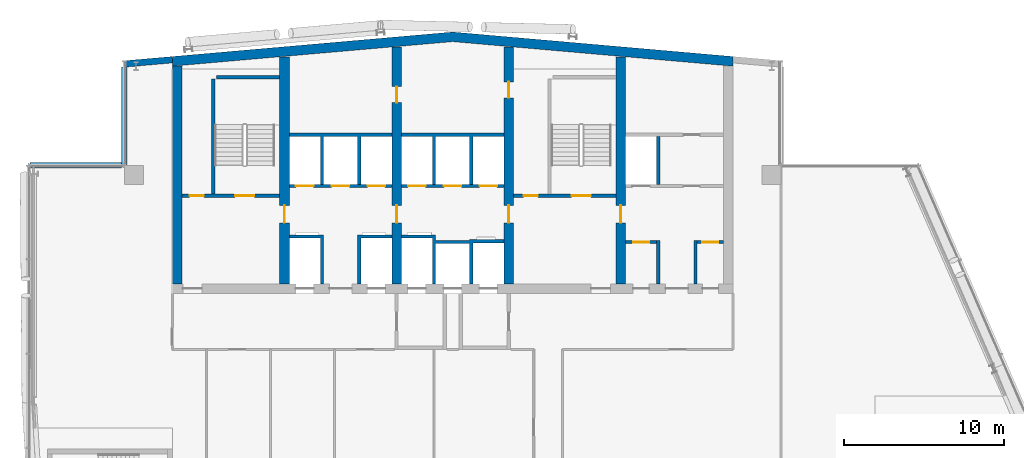
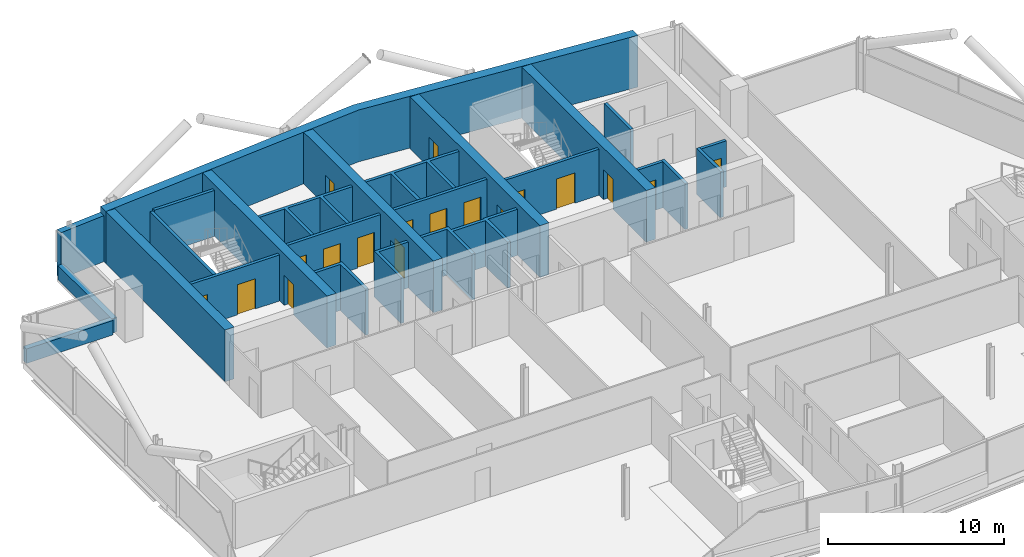
# One storey, part 18 of 27: 25 walls, 18 doors, 18 openings.
"""IFC4 building model written with IfcOpenShell, lengths in metres."""

from ifc_helpers import new_model, si_unit, direction, frame, frame_2d, origin, place, context, subcontext, project, spatial, polyline, rectangle, outline, extrude, material, layer, layer_set, type_object, element, fill, save


model = new_model("IFC4")

# Units and contexts
model_context = context("Model", 3, precision=1e-05, world=origin(), true_north=direction((0.0, 1.0)))
body_context = subcontext(model_context, "Body", "Model", "MODEL_VIEW")
ifc_project = project(units=[si_unit("LENGTHUNIT", "METRE"), si_unit("AREAUNIT", "SQUARE_METRE"), si_unit("VOLUMEUNIT", "CUBIC_METRE"), si_unit("PLANEANGLEUNIT", "RADIAN"), si_unit("MASSUNIT", "GRAM", prefix="KILO")], contexts=[model_context])

# Site, building, storey
site_placement = place(None, origin())
site = spatial("IfcSite", under=ifc_project, at=site_placement, CompositionType="ELEMENT")
building_placement = place(site_placement, origin())
building = spatial("IfcBuilding", under=site, at=building_placement, Name="Wharfspan Tower", CompositionType="ELEMENT")
storey_placement = place(building_placement, frame((0.0, 0.0, 210.699951)))
storey = spatial("IfcBuildingStorey", under=building, at=storey_placement, Name="L52", CompositionType="ELEMENT", Elevation=210.699951)

# Wall, opening, door
ifc_material_1 = material(Name="Calcium silicate masonry", Category="masonry")
ifc_layer_1 = layer(ifc_material_1, 0.199951)
ifc_layer_set_1 = layer_set([ifc_layer_1], Name="Calcium silicate masonry")
wall_type_1 = type_object("IfcWallType", Name="Core room wall 200", PredefinedType="PARTITIONING", material=ifc_layer_set_1)
wall_1_placement = place(storey_placement, frame((51.300049, 37.199951, 0.0), z_axis=(0.0, 0.0, 1.0), x_axis=(1.0, 0.0, 0.0)))
wall_1 = element("IfcWall", 1, at=wall_1_placement, inside=storey, type_object=wall_type_1, Name="sw:L52:FR6.1", PredefinedType="PARTITIONING", context=body_context, shape_type="SweptSolid", body=[
    extrude(rectangle(XDim=1.93335, YDim=0.199951, at=frame_2d((0.966797, 0.0))), origin(), (0.0, 0.0, 1.0), 3.199951),
])
opening_1_placement = place(wall_1_placement, frame((0.466797, 0.0, 0.0)))
opening_1 = element("IfcOpeningElement", 2, at=opening_1_placement, cuts=wall_1, Name="Opening CD52.6H1", PredefinedType="OPENING", context=body_context, shape_type="SweptSolid", body=[
    extrude(rectangle(XDim=1.0, YDim=2.100098, at=frame_2d((0.5, 1.050049))), frame((0.0, 0.109863, 0.0), z_axis=(0.0, -1.0, 0.0), x_axis=(1.0, 0.0, 0.0)), (0.0, 0.0, 1.0), 0.219971),
])
ifc_material_2 = material(Name="Steel door leaf", Category="steel")
door_type_1 = type_object("IfcDoorType", Name="Core room door 1000x2100", OperationType="SINGLE_SWING_LEFT", PredefinedType="DOOR", material=ifc_material_2)
door_1_placement = place(opening_1_placement, origin())
door_1 = element("IfcDoor", 3, at=door_1_placement, inside=storey, type_object=door_type_1, Name="d:L52:6:fh6.1", OperationType="SINGLE_SWING_RIGHT", OverallHeight=2.100098, OverallWidth=1.0, PredefinedType="DOOR", context=body_context, shape_type="SweptSolid", body=[
    extrude(rectangle(XDim=1.0, YDim=2.100098, at=frame_2d((0.5, 1.050049))), frame((0.0, 0.024902, 0.0), z_axis=(0.0, -1.0, 0.0), x_axis=(1.0, 0.0, 0.0)), (0.0, 0.0, 1.0), 0.050049),
])
fill(opening_1, door_1)

wall_2_placement = place(storey_placement, frame((55.766602, 37.199951, 0.0), z_axis=(0.0, 0.0, 1.0), x_axis=(1.0, 0.0, 0.0)))
wall_2 = element("IfcWall", 4, at=wall_2_placement, inside=storey, type_object=wall_type_1, Name="sw:L52:FR6.3", PredefinedType="PARTITIONING", context=body_context, shape_type="SweptSolid", body=[
    extrude(rectangle(XDim=1.633301, YDim=0.199951, at=frame_2d((0.81665, 0.0))), origin(), (0.0, 0.0, 1.0), 3.199951),
])
opening_2_placement = place(wall_2_placement, frame((0.31665, 0.0, 0.0)))
opening_2 = element("IfcOpeningElement", 5, at=opening_2_placement, cuts=wall_2, Name="Opening CD52.6H3", PredefinedType="OPENING", context=body_context, shape_type="SweptSolid", body=[
    extrude(rectangle(XDim=1.0, YDim=2.100098, at=frame_2d((0.5, 1.050049))), frame((0.0, 0.109863, 0.0), z_axis=(0.0, -1.0, 0.0), x_axis=(1.0, 0.0, 0.0)), (0.0, 0.0, 1.0), 0.219971),
])
door_2_placement = place(opening_2_placement, origin())
door_2 = element("IfcDoor", 6, at=door_2_placement, inside=storey, type_object=door_type_1, Name="d:L52:6:fh6.3", OperationType="SINGLE_SWING_RIGHT", OverallHeight=2.100098, OverallWidth=1.0, PredefinedType="DOOR", context=body_context, shape_type="SweptSolid", body=[
    extrude(rectangle(XDim=1.0, YDim=2.100098, at=frame_2d((0.5, 1.050049))), frame((0.0, 0.024902, 0.0), z_axis=(0.0, -1.0, 0.0), x_axis=(1.0, 0.0, 0.0)), (0.0, 0.0, 1.0), 0.050049),
])
fill(opening_2, door_2)

# Walls
ifc_material_3 = material(Name="Concrete C50/60", Category="concrete")
ifc_layer_2 = layer(ifc_material_3, 0.600098)
ifc_layer_set_2 = layer_set([ifc_layer_2], Name="Concrete C50/60")
wall_type_2 = type_object("IfcWallType", Name="Core wall 600 C50/60", PredefinedType="SHEAR", material=ifc_layer_set_2)
wall_3_placement = place(storey_placement, origin())
element("IfcWall", 7, at=wall_3_placement, inside=storey, type_object=wall_type_2, Name="Core rear wall L52", PredefinedType="SHEAR", context=body_context, shape_type="SweptSolid", body=[
    extrude(outline(polyline([(23.0, 48.185059), (40.5, 49.716064), (58.0, 48.185059), (58.0, 48.787354), (40.5, 50.318359), (23.0, 48.787354), (23.0, 48.185059)])), origin(), (0.0, 0.0, 1.0), 3.600098),
])
wall_4_placement = place(storey_placement, frame((23.300049, 34.600098, 0.0), z_axis=(0.0, 0.0, 1.0), x_axis=(0.0, 1.0, 0.0)))
element("IfcWall", 8, at=wall_4_placement, inside=storey, type_object=wall_type_2, Name="Core cross wall EW0 L52", PredefinedType="SHEAR", context=body_context, shape_type="SweptSolid", body=[
    extrude(rectangle(XDim=13.584961, YDim=0.600098, at=frame_2d((6.79248, 0.0))), origin(), (0.0, 0.0, 1.0), 3.600098),
])

# Wall, opening, door
wall_5_placement = place(storey_placement, frame((30.0, 34.600098, 0.0), z_axis=(0.0, 0.0, 1.0), x_axis=(0.0, 1.0, 0.0)))
wall_5 = element("IfcWall", 9, at=wall_5_placement, inside=storey, type_object=wall_type_2, Name="Core cross wall X3 L52", PredefinedType="SHEAR", context=body_context, shape_type="SweptSolid", body=[
    extrude(rectangle(XDim=14.171143, YDim=0.600098, at=frame_2d((7.085449, 0.0))), origin(), (0.0, 0.0, 1.0), 3.600098),
])
opening_3_placement = place(wall_5_placement, frame((3.800049, 0.0, 0.0)))
opening_3 = element("IfcOpeningElement", 10, at=opening_3_placement, cuts=wall_5, Name="Opening CC52.3", PredefinedType="OPENING", context=body_context, shape_type="SweptSolid", body=[
    extrude(rectangle(XDim=1.100098, YDim=2.100098, at=frame_2d((0.550049, 1.050049))), frame((0.0, 0.310059, 0.0), z_axis=(0.0, -1.0, 0.0), x_axis=(1.0, 0.0, 0.0)), (0.0, 0.0, 1.0), 0.620117),
])
door_type_2 = type_object("IfcDoorType", Name="Core corridor door 1100x2100", OperationType="SINGLE_SWING_LEFT", PredefinedType="DOOR", material=ifc_material_2)
door_3_placement = place(opening_3_placement, origin())
door_3 = element("IfcDoor", 11, at=door_3_placement, inside=storey, type_object=door_type_2, Name="xd:L52:3", OperationType="SINGLE_SWING_LEFT", OverallHeight=2.100098, OverallWidth=1.100098, PredefinedType="DOOR", context=body_context, shape_type="SweptSolid", body=[
    extrude(rectangle(XDim=1.100098, YDim=2.100098, at=frame_2d((0.550049, 1.050049))), frame((0.0, 0.024902, 0.0), z_axis=(0.0, -1.0, 0.0), x_axis=(1.0, 0.0, 0.0)), (0.0, 0.0, 1.0), 0.050049),
])
fill(opening_3, door_3)

# Wall, openings, doors
wall_6_placement = place(storey_placement, frame((37.0, 34.600098, 0.0), z_axis=(0.0, 0.0, 1.0), x_axis=(0.0, 1.0, 0.0)))
wall_6 = element("IfcWall", 12, at=wall_6_placement, inside=storey, type_object=wall_type_2, Name="Core cross wall X4 L52", PredefinedType="SHEAR", context=body_context, shape_type="SweptSolid", body=[
    extrude(rectangle(XDim=14.783691, YDim=0.600098, at=frame_2d((7.391846, 0.0))), origin(), (0.0, 0.0, 1.0), 3.600098),
])
opening_4_placement = place(wall_6_placement, frame((11.302002, 0.0, 0.0)))
opening_4 = element("IfcOpeningElement", 13, at=opening_4_placement, cuts=wall_6, Name="Opening CD52.3X", PredefinedType="OPENING", context=body_context, shape_type="SweptSolid", body=[
    extrude(rectangle(XDim=1.0, YDim=2.100098, at=frame_2d((0.5, 1.050049))), frame((0.0, 0.310059, 0.0), z_axis=(0.0, -1.0, 0.0), x_axis=(1.0, 0.0, 0.0)), (0.0, 0.0, 1.0), 0.620117),
])
opening_5_placement = place(wall_6_placement, frame((3.800049, 0.0, 0.0)))
opening_5 = element("IfcOpeningElement", 14, at=opening_5_placement, cuts=wall_6, Name="Opening CC52.4", PredefinedType="OPENING", context=body_context, shape_type="SweptSolid", body=[
    extrude(rectangle(XDim=1.100098, YDim=2.100098, at=frame_2d((0.550049, 1.050049))), frame((0.0, 0.310059, 0.0), z_axis=(0.0, -1.0, 0.0), x_axis=(1.0, 0.0, 0.0)), (0.0, 0.0, 1.0), 0.620117),
])
door_4_placement = place(opening_5_placement, origin())
door_4 = element("IfcDoor", 15, at=door_4_placement, inside=storey, type_object=door_type_2, Name="xd:L52:4", OperationType="SINGLE_SWING_RIGHT", OverallHeight=2.100098, OverallWidth=1.100098, PredefinedType="DOOR", context=body_context, shape_type="SweptSolid", body=[
    extrude(rectangle(XDim=1.100098, YDim=2.100098, at=frame_2d((0.550049, 1.050049))), frame((0.0, 0.024902, 0.0), z_axis=(0.0, -1.0, 0.0), x_axis=(1.0, 0.0, 0.0)), (0.0, 0.0, 1.0), 0.050049),
])
fill(opening_5, door_4)
door_5_placement = place(opening_4_placement, origin())
door_5 = element("IfcDoor", 16, at=door_5_placement, inside=storey, type_object=door_type_1, Name="d:L52:3:sx", OperationType="SINGLE_SWING_LEFT", OverallHeight=2.100098, OverallWidth=1.0, PredefinedType="DOOR", context=body_context, shape_type="SweptSolid", body=[
    extrude(rectangle(XDim=1.0, YDim=2.100098, at=frame_2d((0.5, 1.050049))), frame((0.0, 0.024902, 0.0), z_axis=(0.0, -1.0, 0.0), x_axis=(1.0, 0.0, 0.0)), (0.0, 0.0, 1.0), 0.050049),
])
fill(opening_4, door_5)

wall_7_placement = place(storey_placement, frame((44.0, 34.600098, 0.0), z_axis=(0.0, 0.0, 1.0), x_axis=(0.0, 1.0, 0.0)))
wall_7 = element("IfcWall", 17, at=wall_7_placement, inside=storey, type_object=wall_type_2, Name="Core cross wall X5 L52", PredefinedType="SHEAR", context=body_context, shape_type="SweptSolid", body=[
    extrude(rectangle(XDim=14.783691, YDim=0.600098, at=frame_2d((7.391846, 0.0))), origin(), (0.0, 0.0, 1.0), 3.600098),
])
opening_6_placement = place(wall_7_placement, frame((11.608154, 0.0, 0.0)))
opening_6 = element("IfcOpeningElement", 18, at=opening_6_placement, cuts=wall_7, Name="Opening CD52.4X", PredefinedType="OPENING", context=body_context, shape_type="SweptSolid", body=[
    extrude(rectangle(XDim=1.0, YDim=2.100098, at=frame_2d((0.5, 1.050049))), frame((0.0, 0.310059, 0.0), z_axis=(0.0, -1.0, 0.0), x_axis=(1.0, 0.0, 0.0)), (0.0, 0.0, 1.0), 0.620117),
])
opening_7_placement = place(wall_7_placement, frame((3.800049, 0.0, 0.0)))
opening_7 = element("IfcOpeningElement", 19, at=opening_7_placement, cuts=wall_7, Name="Opening CC52.5", PredefinedType="OPENING", context=body_context, shape_type="SweptSolid", body=[
    extrude(rectangle(XDim=1.100098, YDim=2.100098, at=frame_2d((0.550049, 1.050049))), frame((0.0, 0.310059, 0.0), z_axis=(0.0, -1.0, 0.0), x_axis=(1.0, 0.0, 0.0)), (0.0, 0.0, 1.0), 0.620117),
])
door_6_placement = place(opening_7_placement, origin())
door_6 = element("IfcDoor", 20, at=door_6_placement, inside=storey, type_object=door_type_2, Name="xd:L52:5", OperationType="SINGLE_SWING_LEFT", OverallHeight=2.100098, OverallWidth=1.100098, PredefinedType="DOOR", context=body_context, shape_type="SweptSolid", body=[
    extrude(rectangle(XDim=1.100098, YDim=2.100098, at=frame_2d((0.550049, 1.050049))), frame((0.0, 0.024902, 0.0), z_axis=(0.0, -1.0, 0.0), x_axis=(1.0, 0.0, 0.0)), (0.0, 0.0, 1.0), 0.050049),
])
fill(opening_7, door_6)
door_7_placement = place(opening_6_placement, origin())
door_7 = element("IfcDoor", 21, at=door_7_placement, inside=storey, type_object=door_type_1, Name="d:L52:4:sx", OperationType="SINGLE_SWING_LEFT", OverallHeight=2.100098, OverallWidth=1.0, PredefinedType="DOOR", context=body_context, shape_type="SweptSolid", body=[
    extrude(rectangle(XDim=1.0, YDim=2.100098, at=frame_2d((0.5, 1.050049))), frame((0.0, 0.024902, 0.0), z_axis=(0.0, -1.0, 0.0), x_axis=(1.0, 0.0, 0.0)), (0.0, 0.0, 1.0), 0.050049),
])
fill(opening_6, door_7)

# Wall, opening, door
wall_8_placement = place(storey_placement, frame((51.0, 34.600098, 0.0), z_axis=(0.0, 0.0, 1.0), x_axis=(0.0, 1.0, 0.0)))
wall_8 = element("IfcWall", 22, at=wall_8_placement, inside=storey, type_object=wall_type_2, Name="Core cross wall X6 L52", PredefinedType="SHEAR", context=body_context, shape_type="SweptSolid", body=[
    extrude(rectangle(XDim=14.171143, YDim=0.600098, at=frame_2d((7.085449, 0.0))), origin(), (0.0, 0.0, 1.0), 3.600098),
])
opening_8_placement = place(wall_8_placement, frame((3.800049, 0.0, 0.0)))
opening_8 = element("IfcOpeningElement", 23, at=opening_8_placement, cuts=wall_8, Name="Opening CC52.6", PredefinedType="OPENING", context=body_context, shape_type="SweptSolid", body=[
    extrude(rectangle(XDim=1.100098, YDim=2.100098, at=frame_2d((0.550049, 1.050049))), frame((0.0, 0.310059, 0.0), z_axis=(0.0, -1.0, 0.0), x_axis=(1.0, 0.0, 0.0)), (0.0, 0.0, 1.0), 0.620117),
])
door_8_placement = place(opening_8_placement, origin())
door_8 = element("IfcDoor", 24, at=door_8_placement, inside=storey, type_object=door_type_2, Name="xd:L52:6", OperationType="SINGLE_SWING_RIGHT", OverallHeight=2.100098, OverallWidth=1.100098, PredefinedType="DOOR", context=body_context, shape_type="SweptSolid", body=[
    extrude(rectangle(XDim=1.100098, YDim=2.100098, at=frame_2d((0.550049, 1.050049))), frame((0.0, 0.024902, 0.0), z_axis=(0.0, -1.0, 0.0), x_axis=(1.0, 0.0, 0.0)), (0.0, 0.0, 1.0), 0.050049),
])
fill(opening_8, door_8)

# Wall, openings, doors
ifc_material_4 = material(Name="Concrete C30/37", Category="concrete")
ifc_layer_3 = layer(ifc_material_4, 0.199951)
ifc_layer_set_3 = layer_set([ifc_layer_3], Name="Concrete C30/37")
wall_type_3 = type_object("IfcWallType", Name="Lift shaft wall 200", PredefinedType="PARTITIONING", material=ifc_layer_set_3)
wall_9_placement = place(storey_placement, frame((30.300049, 40.699951, 0.0), z_axis=(0.0, 0.0, 1.0), x_axis=(1.0, 0.0, 0.0)))
wall_9 = element("IfcWall", 25, at=wall_9_placement, inside=storey, type_object=wall_type_3, Name="sw:L52:RF3", PredefinedType="PARTITIONING", context=body_context, shape_type="SweptSolid", body=[
    extrude(rectangle(XDim=6.399902, YDim=0.199951, at=frame_2d((3.199951, 0.0))), origin(), (0.0, 0.0, 1.0), 3.199951),
])
opening_9_placement = place(wall_9_placement, frame((0.416748, 0.0, 0.0)))
opening_9 = element("IfcOpeningElement", 26, at=opening_9_placement, cuts=wall_9, Name="Opening LD.LB1.L52", PredefinedType="OPENING", context=body_context, shape_type="SweptSolid", body=[
    extrude(rectangle(XDim=1.100098, YDim=2.100098, at=frame_2d((0.550049, 1.050049))), frame((0.0, 0.109863, 0.0), z_axis=(0.0, -1.0, 0.0), x_axis=(1.0, 0.0, 0.0)), (0.0, 0.0, 1.0), 0.219971),
])
opening_10_placement = place(wall_9_placement, frame((2.649902, 0.0, 0.0)))
opening_10 = element("IfcOpeningElement", 27, at=opening_10_placement, cuts=wall_9, Name="Opening LD.LB2.L52", PredefinedType="OPENING", context=body_context, shape_type="SweptSolid", body=[
    extrude(rectangle(XDim=1.100098, YDim=2.100098, at=frame_2d((0.550049, 1.050049))), frame((0.0, 0.109863, 0.0), z_axis=(0.0, -1.0, 0.0), x_axis=(1.0, 0.0, 0.0)), (0.0, 0.0, 1.0), 0.219971),
])
opening_11_placement = place(wall_9_placement, frame((4.883301, 0.0, 0.0)))
opening_11 = element("IfcOpeningElement", 28, at=opening_11_placement, cuts=wall_9, Name="Opening LD.LB3.L52", PredefinedType="OPENING", context=body_context, shape_type="SweptSolid", body=[
    extrude(rectangle(XDim=1.100098, YDim=2.100098, at=frame_2d((0.550049, 1.050049))), frame((0.0, 0.109863, 0.0), z_axis=(0.0, -1.0, 0.0), x_axis=(1.0, 0.0, 0.0)), (0.0, 0.0, 1.0), 0.219971),
])
ifc_material_5 = material(Name="Stainless steel", Category="steel")
door_type_3 = type_object("IfcDoorType", Name="Lift landing door 1100x2100", OperationType="DOUBLE_DOOR_SLIDING", PredefinedType="DOOR", material=ifc_material_5)
door_9_placement = place(opening_9_placement, origin())
door_9 = element("IfcDoor", 29, at=door_9_placement, inside=storey, type_object=door_type_3, Name="Landing door LB1 L52", OperationType="DOUBLE_DOOR_SLIDING", OverallHeight=2.100098, OverallWidth=1.100098, PredefinedType="DOOR", context=body_context, shape_type="SweptSolid", body=[
    extrude(rectangle(XDim=1.100098, YDim=2.100098, at=frame_2d((0.550049, 1.050049))), frame((0.0, 0.024902, 0.0), z_axis=(0.0, -1.0, 0.0), x_axis=(1.0, 0.0, 0.0)), (0.0, 0.0, 1.0), 0.050049),
])
fill(opening_9, door_9)
door_10_placement = place(opening_10_placement, origin())
door_10 = element("IfcDoor", 30, at=door_10_placement, inside=storey, type_object=door_type_3, Name="Landing door LB2 L52", OperationType="DOUBLE_DOOR_SLIDING", OverallHeight=2.100098, OverallWidth=1.100098, PredefinedType="DOOR", context=body_context, shape_type="SweptSolid", body=[
    extrude(rectangle(XDim=1.100098, YDim=2.100098, at=frame_2d((0.550049, 1.050049))), frame((0.0, 0.024902, 0.0), z_axis=(0.0, -1.0, 0.0), x_axis=(1.0, 0.0, 0.0)), (0.0, 0.0, 1.0), 0.050049),
])
fill(opening_10, door_10)
door_11_placement = place(opening_11_placement, origin())
door_11 = element("IfcDoor", 31, at=door_11_placement, inside=storey, type_object=door_type_3, Name="Landing door LB3 L52", OperationType="DOUBLE_DOOR_SLIDING", OverallHeight=2.100098, OverallWidth=1.100098, PredefinedType="DOOR", context=body_context, shape_type="SweptSolid", body=[
    extrude(rectangle(XDim=1.100098, YDim=2.100098, at=frame_2d((0.550049, 1.050049))), frame((0.0, 0.024902, 0.0), z_axis=(0.0, -1.0, 0.0), x_axis=(1.0, 0.0, 0.0)), (0.0, 0.0, 1.0), 0.050049),
])
fill(opening_11, door_11)

# Walls
wall_10_placement = place(storey_placement, frame((0.0, 0.0, -0.000244)))
element("IfcWall", 32, at=wall_10_placement, inside=storey, type_object=wall_type_3, Name="sw:L52:FM3.0", PredefinedType="PARTITIONING", context=body_context, shape_type="SweptSolid", body=[
    extrude(outline(polyline([(32.233398, 37.449951), (30.300049, 37.449951), (30.300049, 37.649902), (32.233398, 37.649902), (32.43335, 37.649902), (32.43335, 34.600098), (32.233398, 34.600098), (32.233398, 37.449951)])), origin(), (0.0, 0.0, 1.0), 3.200195),
])
wall_11_placement = place(storey_placement, frame((0.0, 0.0, -0.000244)))
element("IfcWall", 33, at=wall_11_placement, inside=storey, type_object=wall_type_3, Name="sw:L52:FM3.1", PredefinedType="PARTITIONING", context=body_context, shape_type="SweptSolid", body=[
    extrude(outline(polyline([(34.56665, 37.649902), (34.766602, 37.649902), (36.699951, 37.649902), (36.699951, 37.449951), (34.766602, 37.449951), (34.766602, 34.600098), (34.56665, 34.600098), (34.56665, 37.649902)])), origin(), (0.0, 0.0, 1.0), 3.200195),
])
wall_12_placement = place(storey_placement, frame((0.0, 0.0, -0.000244)))
element("IfcWall", 34, at=wall_12_placement, inside=storey, type_object=wall_type_3, Name="sw:L52:RM3.0", PredefinedType="PARTITIONING", context=body_context, shape_type="SweptSolid", body=[
    extrude(outline(polyline([(32.43335, 40.800049), (32.233398, 40.800049), (32.233398, 43.800049), (30.300049, 43.800049), (30.300049, 44.0), (36.699951, 44.0), (36.699951, 43.800049), (34.766602, 43.800049), (34.766602, 40.800049), (34.56665, 40.800049), (34.56665, 43.800049), (32.43335, 43.800049), (32.43335, 40.800049)])), origin(), (0.0, 0.0, 1.0), 3.200195),
])

# Wall, openings, doors
wall_13_placement = place(storey_placement, frame((37.300049, 40.699951, 0.0), z_axis=(0.0, 0.0, 1.0), x_axis=(1.0, 0.0, 0.0)))
wall_13 = element("IfcWall", 35, at=wall_13_placement, inside=storey, type_object=wall_type_3, Name="sw:L52:RF4", PredefinedType="PARTITIONING", context=body_context, shape_type="SweptSolid", body=[
    extrude(rectangle(XDim=6.399902, YDim=0.199951, at=frame_2d((3.199951, 0.0))), origin(), (0.0, 0.0, 1.0), 3.199951),
])
opening_12_placement = place(wall_13_placement, frame((0.416748, 0.0, 0.0)))
opening_12 = element("IfcOpeningElement", 36, at=opening_12_placement, cuts=wall_13, Name="Opening LD.LB4.L52", PredefinedType="OPENING", context=body_context, shape_type="SweptSolid", body=[
    extrude(rectangle(XDim=1.100098, YDim=2.100098, at=frame_2d((0.550049, 1.050049))), frame((0.0, 0.109863, 0.0), z_axis=(0.0, -1.0, 0.0), x_axis=(1.0, 0.0, 0.0)), (0.0, 0.0, 1.0), 0.219971),
])
opening_13_placement = place(wall_13_placement, frame((2.649902, 0.0, 0.0)))
opening_13 = element("IfcOpeningElement", 37, at=opening_13_placement, cuts=wall_13, Name="Opening LD.LB5.L52", PredefinedType="OPENING", context=body_context, shape_type="SweptSolid", body=[
    extrude(rectangle(XDim=1.100098, YDim=2.100098, at=frame_2d((0.550049, 1.050049))), frame((0.0, 0.109863, 0.0), z_axis=(0.0, -1.0, 0.0), x_axis=(1.0, 0.0, 0.0)), (0.0, 0.0, 1.0), 0.219971),
])
opening_14_placement = place(wall_13_placement, frame((4.883301, 0.0, 0.0)))
opening_14 = element("IfcOpeningElement", 38, at=opening_14_placement, cuts=wall_13, Name="Opening LD.LB6.L52", PredefinedType="OPENING", context=body_context, shape_type="SweptSolid", body=[
    extrude(rectangle(XDim=1.100098, YDim=2.100098, at=frame_2d((0.550049, 1.050049))), frame((0.0, 0.109863, 0.0), z_axis=(0.0, -1.0, 0.0), x_axis=(1.0, 0.0, 0.0)), (0.0, 0.0, 1.0), 0.219971),
])
door_12_placement = place(opening_12_placement, origin())
door_12 = element("IfcDoor", 39, at=door_12_placement, inside=storey, type_object=door_type_3, Name="Landing door LB4 L52", OperationType="DOUBLE_DOOR_SLIDING", OverallHeight=2.100098, OverallWidth=1.100098, PredefinedType="DOOR", context=body_context, shape_type="SweptSolid", body=[
    extrude(rectangle(XDim=1.100098, YDim=2.100098, at=frame_2d((0.550049, 1.050049))), frame((0.0, 0.024902, 0.0), z_axis=(0.0, -1.0, 0.0), x_axis=(1.0, 0.0, 0.0)), (0.0, 0.0, 1.0), 0.050049),
])
fill(opening_12, door_12)
door_13_placement = place(opening_13_placement, origin())
door_13 = element("IfcDoor", 40, at=door_13_placement, inside=storey, type_object=door_type_3, Name="Landing door LB5 L52", OperationType="DOUBLE_DOOR_SLIDING", OverallHeight=2.100098, OverallWidth=1.100098, PredefinedType="DOOR", context=body_context, shape_type="SweptSolid", body=[
    extrude(rectangle(XDim=1.100098, YDim=2.100098, at=frame_2d((0.550049, 1.050049))), frame((0.0, 0.024902, 0.0), z_axis=(0.0, -1.0, 0.0), x_axis=(1.0, 0.0, 0.0)), (0.0, 0.0, 1.0), 0.050049),
])
fill(opening_13, door_13)
door_14_placement = place(opening_14_placement, origin())
door_14 = element("IfcDoor", 41, at=door_14_placement, inside=storey, type_object=door_type_3, Name="Landing door LB6 L52", OperationType="DOUBLE_DOOR_SLIDING", OverallHeight=2.100098, OverallWidth=1.100098, PredefinedType="DOOR", context=body_context, shape_type="SweptSolid", body=[
    extrude(rectangle(XDim=1.100098, YDim=2.100098, at=frame_2d((0.550049, 1.050049))), frame((0.0, 0.024902, 0.0), z_axis=(0.0, -1.0, 0.0), x_axis=(1.0, 0.0, 0.0)), (0.0, 0.0, 1.0), 0.050049),
])
fill(opening_14, door_14)

# Walls
wall_14_placement = place(storey_placement, frame((0.0, 0.0, -0.000244)))
element("IfcWall", 42, at=wall_14_placement, inside=storey, type_object=wall_type_3, Name="sw:L52:FM4.0", PredefinedType="PARTITIONING", context=body_context, shape_type="SweptSolid", body=[
    extrude(outline(polyline([(41.56665, 37.100098), (39.43335, 37.100098), (39.43335, 34.600098), (39.233398, 34.600098), (39.233398, 37.449951), (37.300049, 37.449951), (37.300049, 37.649902), (39.233398, 37.649902), (39.43335, 37.649902), (39.43335, 37.300049), (41.56665, 37.300049), (41.56665, 37.350098), (41.766602, 37.350098), (43.699951, 37.350098), (43.699951, 37.149902), (41.766602, 37.149902), (41.766602, 34.600098), (41.56665, 34.600098), (41.56665, 37.100098)])), origin(), (0.0, 0.0, 1.0), 3.200195),
])
wall_15_placement = place(storey_placement, frame((0.0, 0.0, -0.000244)))
element("IfcWall", 43, at=wall_15_placement, inside=storey, type_object=wall_type_3, Name="sw:L52:RM4.0", PredefinedType="PARTITIONING", context=body_context, shape_type="SweptSolid", body=[
    extrude(outline(polyline([(39.43335, 40.800049), (39.233398, 40.800049), (39.233398, 43.800049), (37.300049, 43.800049), (37.300049, 44.0), (43.699951, 44.0), (43.699951, 43.800049), (41.766602, 43.800049), (41.766602, 40.800049), (41.56665, 40.800049), (41.56665, 43.800049), (39.43335, 43.800049), (39.43335, 40.800049)])), origin(), (0.0, 0.0, 1.0), 3.200195),
])
wall_16_placement = place(storey_placement, frame((0.0, 0.0, -0.000244)))
element("IfcWall", 44, at=wall_16_placement, inside=storey, type_object=wall_type_3, Name="sw:L52:FM6.0", PredefinedType="PARTITIONING", context=body_context, shape_type="SweptSolid", body=[
    extrude(outline(polyline([(53.233398, 34.600098), (53.233398, 37.300049), (53.43335, 37.300049), (53.43335, 34.600098), (53.233398, 34.600098)])), origin(), (0.0, 0.0, 1.0), 3.200195),
])
wall_17_placement = place(storey_placement, frame((0.0, 0.0, -0.000244)))
element("IfcWall", 45, at=wall_17_placement, inside=storey, type_object=wall_type_3, Name="sw:L52:FM6.1", PredefinedType="PARTITIONING", context=body_context, shape_type="SweptSolid", body=[
    extrude(outline(polyline([(55.56665, 34.600098), (55.56665, 37.300049), (55.766602, 37.300049), (55.766602, 34.600098), (55.56665, 34.600098)])), origin(), (0.0, 0.0, 1.0), 3.200195),
])
wall_18_placement = place(storey_placement, frame((0.0, 0.0, -0.000244)))
element("IfcWall", 46, at=wall_18_placement, inside=storey, type_object=wall_type_3, Name="sw:L52:RM6.0", PredefinedType="PARTITIONING", context=body_context, shape_type="SweptSolid", body=[
    extrude(outline(polyline([(53.43335, 40.800049), (53.43335, 43.800049), (53.233398, 43.800049), (53.233398, 40.800049), (53.43335, 40.800049)])), origin(), (0.0, 0.0, 1.0), 3.200195),
])
ifc_material_6 = material(Name="Concrete C40/50", Category="concrete")
ifc_layer_4 = layer(ifc_material_6, 0.350098)
ifc_layer_set_4 = layer_set([ifc_layer_4], Name="Concrete C40/50")
wall_type_4 = type_object("IfcWallType", Name="SPANDREL EXPOSED CONCRETE 350", PredefinedType="SOLIDWALL", material=ifc_layer_set_4)
wall_19_placement = place(storey_placement, frame((19.995117, 48.126465, 0.0), z_axis=(0.0, 0.0, 1.0), x_axis=(0.0, -1.0, 0.0)))
element("IfcWall", 47, at=wall_19_placement, inside=storey, type_object=wall_type_4, Name="Spandrel upstand L52 NRW-V", PredefinedType="SOLIDWALL", context=body_context, shape_type="SweptSolid", body=[
    extrude(rectangle(XDim=6.126465, YDim=0.350098, at=frame_2d((3.063232, 0.0))), origin(), (0.0, 0.0, 1.0), 1.0),
])
wall_20_placement = place(storey_placement, frame((19.820068, 42.004883, 0.0), z_axis=(0.0, 0.0, 1.0), x_axis=(-1.0, 0.0, 0.0)))
element("IfcWall", 48, at=wall_20_placement, inside=storey, type_object=wall_type_4, Name="Spandrel upstand L52 NRW-H", PredefinedType="SOLIDWALL", context=body_context, shape_type="SweptSolid", body=[
    extrude(rectangle(XDim=5.699951, YDim=0.350098, at=frame_2d((2.850098, 0.0))), origin(), (0.0, 0.0, 1.0), 1.0),
])

# Wall, openings, doors
ifc_layer_5 = layer(ifc_material_6, 0.199951)
ifc_layer_set_5 = layer_set([ifc_layer_5], Name="Concrete C40/50")
wall_type_5 = type_object("IfcWallType", Name="Stair shaft wall 200", PredefinedType="SHEAR", material=ifc_layer_set_5)
wall_21_placement = place(storey_placement, frame((23.600098, 40.100098, 0.0), z_axis=(0.0, 0.0, 1.0), x_axis=(1.0, 0.0, 0.0)))
wall_21 = element("IfcWall", 49, at=wall_21_placement, inside=storey, type_object=wall_type_5, Name="ST1 stair enclosure wall L52", PredefinedType="SHEAR", context=body_context, shape_type="SweptSolid", body=[
    extrude(rectangle(XDim=6.099854, YDim=0.199951, at=frame_2d((3.049805, 0.0))), origin(), (0.0, 0.0, 1.0), 3.199951),
])
opening_15_placement = place(wall_21_placement, frame((3.324951, 0.0, 0.0)))
opening_15 = element("IfcOpeningElement", 50, at=opening_15_placement, cuts=wall_21, Name="Opening SD2.L52", PredefinedType="OPENING", context=body_context, shape_type="SweptSolid", body=[
    extrude(rectangle(XDim=1.199951, YDim=2.100098, at=frame_2d((0.600098, 1.050049))), frame((0.0, 0.109863, 0.0), z_axis=(0.0, -1.0, 0.0), x_axis=(1.0, 0.0, 0.0)), (0.0, 0.0, 1.0), 0.219971),
])
opening_16_placement = place(wall_21_placement, frame((0.475098, 0.0, 0.0)))
opening_16 = element("IfcOpeningElement", 51, at=opening_16_placement, cuts=wall_21, Name="Opening CD52.2R", PredefinedType="OPENING", context=body_context, shape_type="SweptSolid", body=[
    extrude(rectangle(XDim=0.899902, YDim=2.100098, at=frame_2d((0.449951, 1.050049))), frame((0.0, 0.109863, 0.0), z_axis=(0.0, -1.0, 0.0), x_axis=(1.0, 0.0, 0.0)), (0.0, 0.0, 1.0), 0.219971),
])
door_15_placement = place(opening_16_placement, origin())
door_15 = element("IfcDoor", 52, at=door_15_placement, inside=storey, type_object=door_type_1, Name="rk:L52:2", OperationType="SINGLE_SWING_LEFT", OverallHeight=2.100098, OverallWidth=0.899902, PredefinedType="DOOR", context=body_context, shape_type="SweptSolid", body=[
    extrude(rectangle(XDim=0.899902, YDim=2.100098, at=frame_2d((0.449951, 1.050049))), frame((0.0, 0.024902, 0.0), z_axis=(0.0, -1.0, 0.0), x_axis=(1.0, 0.0, 0.0)), (0.0, 0.0, 1.0), 0.050049),
])
fill(opening_16, door_15)
door_type_4 = type_object("IfcDoorType", Name="Stair door 1200x2100", OperationType="SINGLE_SWING_LEFT", PredefinedType="DOOR", material=ifc_material_2)
door_16_placement = place(opening_15_placement, origin())
door_16 = element("IfcDoor", 53, at=door_16_placement, inside=storey, type_object=door_type_4, Name="sd:L52:2", OperationType="SINGLE_SWING_RIGHT", OverallHeight=2.100098, OverallWidth=1.199951, PredefinedType="DOOR", context=body_context, shape_type="SweptSolid", body=[
    extrude(rectangle(XDim=1.199951, YDim=2.100098, at=frame_2d((0.600098, 1.050049))), frame((0.0, 0.024902, 0.0), z_axis=(0.0, -1.0, 0.0), x_axis=(1.0, 0.0, 0.0)), (0.0, 0.0, 1.0), 0.050049),
])
fill(opening_15, door_16)

# Walls
wall_22_placement = place(storey_placement, frame((25.550049, 40.199951, 0.0), z_axis=(0.0, 0.0, 1.0), x_axis=(0.0, 1.0, 0.0)))
element("IfcWall", 54, at=wall_22_placement, inside=storey, type_object=wall_type_5, Name="ST1 stair enclosure wall L52", PredefinedType="SHEAR", context=body_context, shape_type="SweptSolid", body=[
    extrude(rectangle(XDim=7.199951, YDim=0.199951, at=frame_2d((3.600098, 0.0))), origin(), (0.0, 0.0, 1.0), 3.199951),
])
wall_23_placement = place(storey_placement, frame((25.75, 47.5, 0.0), z_axis=(0.0, 0.0, 1.0), x_axis=(1.0, 0.0, 0.0)))
element("IfcWall", 55, at=wall_23_placement, inside=storey, type_object=wall_type_5, Name="ST1 stair enclosure wall L52", PredefinedType="SHEAR", context=body_context, shape_type="SweptSolid", body=[
    extrude(rectangle(XDim=3.949951, YDim=0.199951, at=frame_2d((1.975098, 0.0))), origin(), (0.0, 0.0, 1.0), 3.199951),
])

# Wall, openings, doors
wall_24_placement = place(storey_placement, frame((44.300049, 40.100098, 0.0), z_axis=(0.0, 0.0, 1.0), x_axis=(1.0, 0.0, 0.0)))
wall_24 = element("IfcWall", 56, at=wall_24_placement, inside=storey, type_object=wall_type_5, Name="ST2 stair enclosure wall L52", PredefinedType="SHEAR", context=body_context, shape_type="SweptSolid", body=[
    extrude(rectangle(XDim=6.399902, YDim=0.199951, at=frame_2d((3.199951, 0.0))), origin(), (0.0, 0.0, 1.0), 3.199951),
])
opening_17_placement = place(wall_24_placement, frame((3.625, 0.0, 0.0)))
opening_17 = element("IfcOpeningElement", 57, at=opening_17_placement, cuts=wall_24, Name="Opening SD5.L52", PredefinedType="OPENING", context=body_context, shape_type="SweptSolid", body=[
    extrude(rectangle(XDim=1.199951, YDim=2.100098, at=frame_2d((0.600098, 1.050049))), frame((0.0, 0.109863, 0.0), z_axis=(0.0, -1.0, 0.0), x_axis=(1.0, 0.0, 0.0)), (0.0, 0.0, 1.0), 0.219971),
])
opening_18_placement = place(wall_24_placement, frame((0.625, 0.0, 0.0)))
opening_18 = element("IfcOpeningElement", 58, at=opening_18_placement, cuts=wall_24, Name="Opening CD52.5R", PredefinedType="OPENING", context=body_context, shape_type="SweptSolid", body=[
    extrude(rectangle(XDim=0.899902, YDim=2.100098, at=frame_2d((0.449951, 1.050049))), frame((0.0, 0.109863, 0.0), z_axis=(0.0, -1.0, 0.0), x_axis=(1.0, 0.0, 0.0)), (0.0, 0.0, 1.0), 0.219971),
])
door_17_placement = place(opening_18_placement, origin())
door_17 = element("IfcDoor", 59, at=door_17_placement, inside=storey, type_object=door_type_1, Name="rk:L52:5", OperationType="SINGLE_SWING_LEFT", OverallHeight=2.100098, OverallWidth=0.899902, PredefinedType="DOOR", context=body_context, shape_type="SweptSolid", body=[
    extrude(rectangle(XDim=0.899902, YDim=2.100098, at=frame_2d((0.449951, 1.050049))), frame((0.0, 0.024902, 0.0), z_axis=(0.0, -1.0, 0.0), x_axis=(1.0, 0.0, 0.0)), (0.0, 0.0, 1.0), 0.050049),
])
fill(opening_18, door_17)
door_18_placement = place(opening_17_placement, origin())
door_18 = element("IfcDoor", 60, at=door_18_placement, inside=storey, type_object=door_type_4, Name="sd:L52:5", OperationType="SINGLE_SWING_RIGHT", OverallHeight=2.100098, OverallWidth=1.199951, PredefinedType="DOOR", context=body_context, shape_type="SweptSolid", body=[
    extrude(rectangle(XDim=1.199951, YDim=2.100098, at=frame_2d((0.600098, 1.050049))), frame((0.0, 0.024902, 0.0), z_axis=(0.0, -1.0, 0.0), x_axis=(1.0, 0.0, 0.0)), (0.0, 0.0, 1.0), 0.050049),
])
fill(opening_17, door_18)

# Wall
ifc_layer_6 = layer(ifc_material_6, 0.399902)
ifc_layer_set_6 = layer_set([ifc_layer_6], Name="Concrete C40/50")
wall_type_6 = type_object("IfcWallType", Name="WALL EXPOSED CONCRETE 400", PredefinedType="SOLIDWALL", material=ifc_layer_set_6)
wall_25_placement = place(storey_placement, frame((23.0, 48.58667, 0.0), z_axis=(0.0, 0.0, 1.0), x_axis=(-0.996194, -0.087168, 0.0)))
element("IfcWall", 61, at=wall_25_placement, inside=storey, type_object=wall_type_6, Name="Rear wall N1", PredefinedType="SOLIDWALL", context=body_context, shape_type="SweptSolid", body=[
    extrude(rectangle(XDim=2.994141, YDim=0.399902, at=frame_2d((1.49707, 0.0))), origin(), (0.0, 0.0, 1.0), 3.199951),
])

save(model, "model.ifc")
